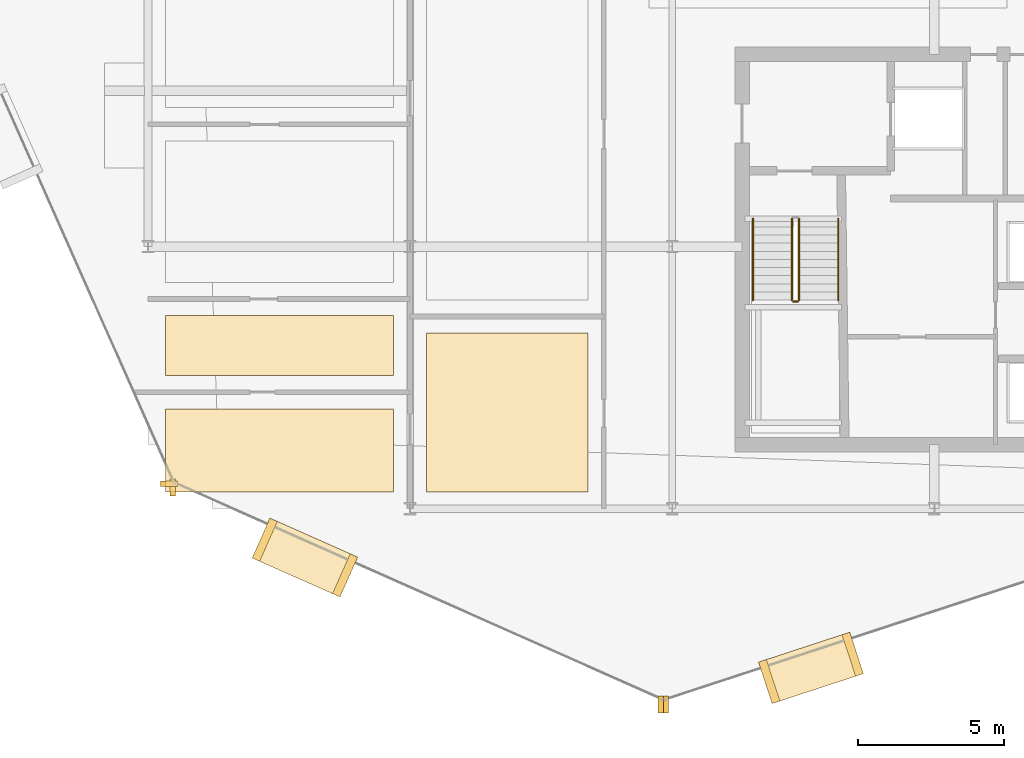
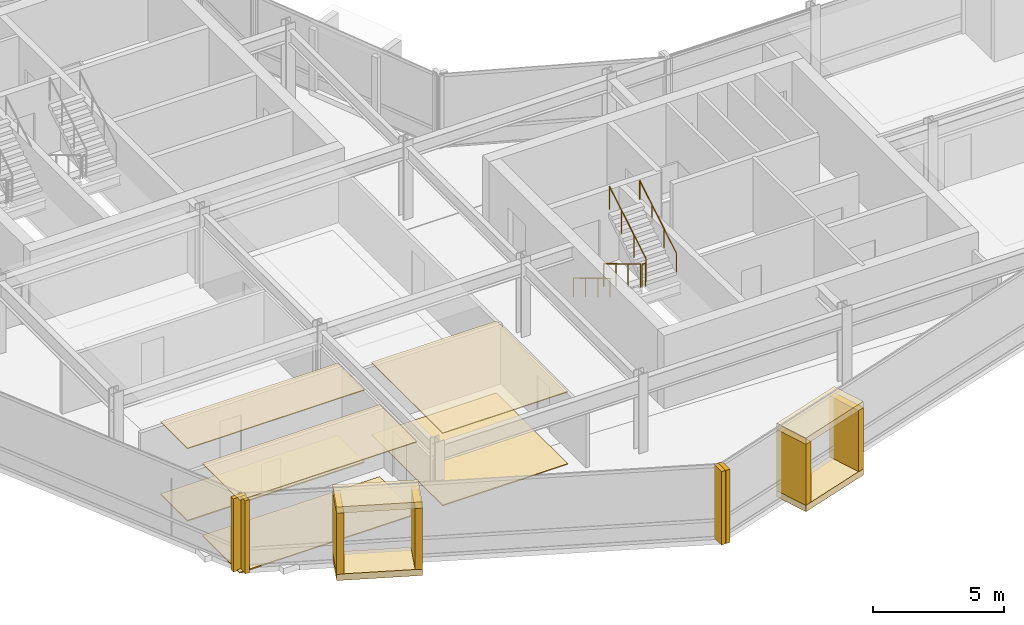
# One storey, part 22 of 27: 18 coverings, 5 railings.
"""IFC4 building model written with IfcOpenShell, lengths in metres."""

from ifc_helpers import new_model, si_unit, direction, frame, origin, origin_2d, place, context, subcontext, project, spatial, polyline, rectangle, circle, outline, extrude, material, layer, layer_set, type_object, element, save


model = new_model("IFC4")

# Units and contexts
model_context = context("Model", 3, precision=1e-05, world=origin(), true_north=direction((0.0, 1.0)))
body_context = subcontext(model_context, "Body", "Model", "MODEL_VIEW")
ifc_project = project(units=[si_unit("LENGTHUNIT", "METRE"), si_unit("AREAUNIT", "SQUARE_METRE"), si_unit("VOLUMEUNIT", "CUBIC_METRE"), si_unit("PLANEANGLEUNIT", "RADIAN"), si_unit("MASSUNIT", "GRAM", prefix="KILO")], contexts=[model_context])

# Site, building, storey
site_placement = place(None, origin())
site = spatial("IfcSite", under=ifc_project, at=site_placement, CompositionType="ELEMENT")
building_placement = place(site_placement, origin())
building = spatial("IfcBuilding", under=site, at=building_placement, Name="Solvaryn Broadcast Tower", CompositionType="ELEMENT")
storey_placement = place(building_placement, frame((0.0, 0.0, 177.89990234375)))
storey = spatial("IfcBuildingStorey", under=building, at=storey_placement, Name="L44", CompositionType="ELEMENT", Elevation=177.89990234375)

# Coverings
ifc_material_1 = material(Name="Micro-Perforated Acoustic Gypsum Ceiling", Category="concrete")
ifc_layer_1 = layer(ifc_material_1, 0.0400390625)
ifc_layer_set_1 = layer_set([ifc_layer_1], Name="CV-CEIL-ACOUSTIC")
covering_type_1 = type_object("IfcCoveringType", Name="CV-CEIL-ACOUSTIC", PredefinedType="CEILING", material=ifc_layer_set_1)
covering_1_placement = place(storey_placement, frame((0.0, 0.0, 3.380126953125)))
element("IfcCovering", 1, at=covering_1_placement, inside=storey, type_object=covering_type_1, Name="L44 Room Acoustic Ceiling 1", PredefinedType="CEILING", context=body_context, shape_type="SweptSolid", body=[
    extrude(outline(polyline([(18.570068359375, 9.570068359375), (24.10009765625, 9.570068359375), (24.10009765625, 15.030029296875), (18.570068359375, 15.030029296875), (18.570068359375, 9.570068359375)])), origin(), (0.0, 0.0, 1.0), 0.0400390625),
])
covering_2_placement = place(storey_placement, frame((0.0, 0.0, 3.380126953125)))
element("IfcCovering", 2, at=covering_2_placement, inside=storey, type_object=covering_type_1, Name="L44 Room Acoustic Ceiling 3", PredefinedType="CEILING", context=body_context, shape_type="SweptSolid", body=[
    extrude(outline(polyline([(9.60009765625, 9.570068359375), (17.429931640625, 9.570068359375), (17.429931640625, 12.429931640625), (9.60009765625, 12.429931640625), (9.60009765625, 9.570068359375)])), origin(), (0.0, 0.0, 1.0), 0.0400390625),
])
covering_3_placement = place(storey_placement, frame((0.0, 0.0, 3.380126953125)))
element("IfcCovering", 3, at=covering_3_placement, inside=storey, type_object=covering_type_1, Name="L44 Room Acoustic Ceiling 4", PredefinedType="CEILING", context=body_context, shape_type="SweptSolid", body=[
    extrude(outline(polyline([(9.60009765625, 13.570068359375), (17.429931640625, 13.570068359375), (17.429931640625, 15.6298828125), (9.60009765625, 15.6298828125), (9.60009765625, 13.570068359375)])), origin(), (0.0, 0.0, 1.0), 0.0400390625),
])
ifc_material_2 = material(Name="Newsroom Raised Data Access Flooring", Category="steel")
ifc_layer_2 = layer(ifc_material_2, 0.050048828125)
ifc_layer_set_2 = layer_set([ifc_layer_2], Name="CV-FLOOR-RAISED")
covering_type_2 = type_object("IfcCoveringType", Name="CV-FLOOR-RAISED", PredefinedType="FLOORING", material=ifc_layer_set_2)
covering_4_placement = place(storey_placement, origin())
element("IfcCovering", 4, at=covering_4_placement, inside=storey, type_object=covering_type_2, Name="L44 Room Acoustic Floor Finish 1", PredefinedType="FLOORING", context=body_context, shape_type="SweptSolid", body=[
    extrude(outline(polyline([(18.570068359375, 9.570068359375), (24.10009765625, 9.570068359375), (24.10009765625, 15.030029296875), (18.570068359375, 15.030029296875), (18.570068359375, 9.570068359375)])), origin(), (0.0, 0.0, 1.0), 0.050048828125),
])
covering_5_placement = place(storey_placement, origin())
element("IfcCovering", 5, at=covering_5_placement, inside=storey, type_object=covering_type_2, Name="L44 Room Acoustic Floor Finish 3", PredefinedType="FLOORING", context=body_context, shape_type="SweptSolid", body=[
    extrude(outline(polyline([(9.60009765625, 9.570068359375), (17.429931640625, 9.570068359375), (17.429931640625, 12.429931640625), (9.60009765625, 12.429931640625), (9.60009765625, 9.570068359375)])), origin(), (0.0, 0.0, 1.0), 0.050048828125),
])
covering_6_placement = place(storey_placement, origin())
element("IfcCovering", 6, at=covering_6_placement, inside=storey, type_object=covering_type_2, Name="L44 Room Acoustic Floor Finish 4", PredefinedType="FLOORING", context=body_context, shape_type="SweptSolid", body=[
    extrude(outline(polyline([(9.60009765625, 13.570068359375), (17.429931640625, 13.570068359375), (17.429931640625, 15.6298828125), (9.60009765625, 15.6298828125), (9.60009765625, 13.570068359375)])), origin(), (0.0, 0.0, 1.0), 0.050048828125),
])
ifc_material_3 = material(Name="Glazed Architectural Terracotta Rainscreen Cladding", Category="masonry")
ifc_layer_3 = layer(ifc_material_3, 0.280029296875)
ifc_layer_set_3 = layer_set([ifc_layer_3], Name="CV-TC-CLAD")
covering_type_3 = type_object("IfcCoveringType", Name="CV-TC-CLAD", PredefinedType="CLADDING", material=ifc_layer_set_3)
for number, where, z_axis, x_axis, name in (
    (7, (14.388916015625, 7.322998046875, 3.1298828125), (0.0, 0.0, 1.0), (0.913900054426, -0.405939269498, 0.0), "L44 Projecting Stone Window Box Hood 3"),
    (8, (14.388916015625, 7.322998046875, -0.009765625), (0.0, 0.0, 1.0), (0.913900054426, -0.405939269498, 0.0), "L44 Projecting Stone Window Box Sill 3"),
):
    element("IfcCovering", number, at=place(storey_placement, frame(where, z_axis=z_axis, x_axis=x_axis)), inside=storey, type_object=covering_type_3, Name=name, PredefinedType="CLADDING", context=body_context, shape_type="SweptSolid", body=[
        extrude(rectangle(XDim=3.300048828125, YDim=1.5, at=origin_2d()), origin(), (0.0, 0.0, 1.0), 0.300048828125),
    ])
for number, where, z_axis, x_axis, name in (
    (9, (13.009033203125, 7.93603515625, 0.2802734375), (0.0, 0.0, 1.0), (0.913900054426, -0.405939269498, 0.0), "L44 Projecting Stone Window Box Cheek 3-1"),
    (10, (15.76904296875, 6.7099609375, 0.2802734375), (0.0, 0.0, 1.0), (0.913900054426, -0.405939269498, 0.0), "L44 Projecting Stone Window Box Cheek 3-2"),
):
    element("IfcCovering", number, at=place(storey_placement, frame(where, z_axis=z_axis, x_axis=x_axis)), inside=storey, type_object=covering_type_3, Name=name, PredefinedType="CLADDING", context=body_context, shape_type="SweptSolid", body=[
        extrude(rectangle(XDim=0.280029296875, YDim=1.5, at=origin_2d()), origin(), (0.0, 0.0, 1.0), 2.860107421875),
    ])
for number, where, z_axis, x_axis, name in (
    (11, (31.763916015625, 3.533935546875, 3.1298828125), (0.0, 0.0, 1.0), (0.950244253402, 0.311505792684, 0.0), "L44 Projecting Stone Window Box Hood 4"),
    (12, (31.763916015625, 3.533935546875, -0.009765625), (0.0, 0.0, 1.0), (0.950244253402, 0.311505792684, 0.0), "L44 Projecting Stone Window Box Sill 4"),
):
    element("IfcCovering", number, at=place(storey_placement, frame(where, z_axis=z_axis, x_axis=x_axis)), inside=storey, type_object=covering_type_3, Name=name, PredefinedType="CLADDING", context=body_context, shape_type="SweptSolid", body=[
        extrude(rectangle(XDim=3.300048828125, YDim=1.5, at=origin_2d()), origin(), (0.0, 0.0, 1.0), 0.300048828125),
    ])
for number, where, z_axis, x_axis, name in (
    (13, (30.3291015625, 3.063720703125, 0.2802734375), (0.0, 0.0, 1.0), (0.950244253402, 0.311505792684, 0.0), "L44 Projecting Stone Window Box Cheek 4-1"),
    (14, (33.198974609375, 4.00439453125, 0.2802734375), (0.0, 0.0, 1.0), (0.950244253402, 0.311505792684, 0.0), "L44 Projecting Stone Window Box Cheek 4-2"),
):
    element("IfcCovering", number, at=place(storey_placement, frame(where, z_axis=z_axis, x_axis=x_axis)), inside=storey, type_object=covering_type_3, Name=name, PredefinedType="CLADDING", context=body_context, shape_type="SweptSolid", body=[
        extrude(rectangle(XDim=0.280029296875, YDim=1.5, at=origin_2d()), origin(), (0.0, 0.0, 1.0), 2.860107421875),
    ])
ifc_material_4 = material(Name="Extruded Architectural Terracotta Fin", Category="masonry")
ifc_layer_4 = layer(ifc_material_4, 0.179931640625)
ifc_layer_set_4 = layer_set([ifc_layer_4], Name="CV-TC-FIN")
covering_type_4 = type_object("IfcCoveringType", Name="CV-TC-FIN", PredefinedType="USERDEFINED", material=ifc_layer_set_4)
covering_7_placement = place(storey_placement, frame((9.7216796875, 9.852783203125, 0.000244140625), z_axis=(0.0, 0.0, 1.0), x_axis=(1.0, 0.0, 0.0)))
element("IfcCovering", 15, at=covering_7_placement, inside=storey, type_object=covering_type_4, Name="L44 Terracotta Vertical Fin FIN-L44-DR2-M01", ObjectType="FIN", PredefinedType="USERDEFINED", context=body_context, shape_type="SweptSolid", body=[
    extrude(rectangle(XDim=0.580078125, YDim=0.179931640625, at=origin_2d()), origin(), (0.0, 0.0, 1.0), 3.419921875),
])
for number, where, z_axis, x_axis, name in (
    (16, (9.852783203125, 9.7216796875, 0.000244140625), (0.0, 0.0, 1.0), (1.0, 0.0, 0.0), "L44 Terracotta Vertical Fin FIN-L44-DR3-M00"),
    (17, (26.605712890625, 2.281005859375, 0.000244140625), (0.0, 0.0, 1.0), (1.0, 0.0, 0.0), "L44 Terracotta Vertical Fin FIN-L44-DR3-M01"),
    (18, (26.790771484375, 2.271240234375, 0.000244140625), (0.0, 0.0, 1.0), (1.0, 0.0, 0.0), "L44 Terracotta Vertical Fin FIN-L44-DR4-M00"),
):
    element("IfcCovering", number, at=place(storey_placement, frame(where, z_axis=z_axis, x_axis=x_axis)), inside=storey, type_object=covering_type_4, Name=name, ObjectType="FIN", PredefinedType="USERDEFINED", context=body_context, shape_type="SweptSolid", body=[
        extrude(rectangle(XDim=0.179931640625, YDim=0.580078125, at=origin_2d()), origin(), (0.0, 0.0, 1.0), 3.419921875),
    ])

# Railings
ifc_material_5 = material(Name="Painted Steel Stair Well Guard", Category="steel")
railing_type_1 = type_object("IfcRailingType", Name="RL-STAIR-GUARD", PredefinedType="BALUSTRADE", material=ifc_material_5)
railing_1_placement = place(storey_placement, frame((31.110107421875, 18.9599609375, 0.168212890625)))
element("IfcRailing", 19, at=railing_1_placement, inside=storey, type_object=railing_type_1, Name="L44 ST3 stair guard 1", PredefinedType="BALUSTRADE", context=body_context, shape_type="SweptSolid", body=[
    extrude(circle(Radius=0.02392578125, at=origin_2d()), frame((0.0, 0.0, 1.076171875), z_axis=(0.0, -0.857242210791, 0.514913383045), x_axis=(1.0, 0.0, 0.0)), (0.0, 0.0, 1.0), 3.266357421875),
    extrude(circle(Radius=0.02099609375, at=origin_2d()), origin(), (0.0, 0.0, 1.0), 1.052001953125),
    extrude(circle(Radius=0.02099609375, at=origin_2d()), frame((0.0, -0.933349609375, 0.560546875)), (0.0, 0.0, 1.0), 1.052001953125),
    extrude(circle(Radius=0.02099609375, at=origin_2d()), frame((0.0, -1.86669921875, 1.121337890625)), (0.0, 0.0, 1.0), 1.052001953125),
    extrude(circle(Radius=0.02099609375, at=origin_2d()), frame((0.0, -2.800048828125, 1.681884765625)), (0.0, 0.0, 1.0), 1.052001953125),
])
railing_2_placement = place(storey_placement, frame((31.159912109375, 16.110107421875, 1.85009765625)))
element("IfcRailing", 20, at=railing_2_placement, inside=storey, type_object=railing_type_1, Name="L44 ST3 stair guard 2", PredefinedType="BALUSTRADE", context=body_context, shape_type="SweptSolid", body=[
    extrude(circle(Radius=0.02392578125, at=origin_2d()), frame((0.0, 0.0, 1.076171875), z_axis=(1.0, 0.0, 0.0), x_axis=(0.0, 1.0, 0.0)), (0.0, 0.0, 1.0), 0.150146484375),
    extrude(circle(Radius=0.02099609375, at=origin_2d()), origin(), (0.0, 0.0, 1.0), 1.052001953125),
    extrude(circle(Radius=0.02099609375, at=origin_2d()), frame((0.150146484375, 0.0, 0.0)), (0.0, 0.0, 1.0), 1.052001953125),
])
railing_3_placement = place(storey_placement, frame((31.360107421875, 16.159912109375, 2.018310546875)))
element("IfcRailing", 21, at=railing_3_placement, inside=storey, type_object=railing_type_1, Name="L44 ST3 stair guard 3", PredefinedType="BALUSTRADE", context=body_context, shape_type="SweptSolid", body=[
    extrude(circle(Radius=0.02392578125, at=origin_2d()), frame((0.0, 0.0, 1.076171875), z_axis=(0.0, 0.857242210791, 0.514913383045), x_axis=(-1.0, 0.0, 0.0)), (0.0, 0.0, 1.0), 3.266357421875),
    extrude(circle(Radius=0.02099609375, at=origin_2d()), origin(), (0.0, 0.0, 1.0), 1.052001953125),
    extrude(circle(Radius=0.02099609375, at=origin_2d()), frame((0.0, 0.933349609375, 0.560546875)), (0.0, 0.0, 1.0), 1.052001953125),
    extrude(circle(Radius=0.02099609375, at=origin_2d()), frame((0.0, 1.86669921875, 1.121337890625)), (0.0, 0.0, 1.0), 1.052001953125),
    extrude(circle(Radius=0.02099609375, at=origin_2d()), frame((0.0, 2.800048828125, 1.681884765625)), (0.0, 0.0, 1.0), 1.052001953125),
])
ifc_material_6 = material(Name="Brushed Stainless Steel Tubular Handrail", Category="steel")
railing_type_2 = type_object("IfcRailingType", Name="RL-STAIR-HANDRAIL", PredefinedType="HANDRAIL", material=ifc_material_6)
railing_4_placement = place(storey_placement, frame((29.77001953125, 18.9599609375, 0.168212890625)))
element("IfcRailing", 22, at=railing_4_placement, inside=storey, type_object=railing_type_2, Name="L44 ST3 stair handrail 1", PredefinedType="HANDRAIL", context=body_context, shape_type="SweptSolid", body=[
    extrude(circle(Radius=0.02392578125, at=origin_2d()), frame((0.0, 0.0, 0.8759765625), z_axis=(0.0, -0.857242210791, 0.514913383045), x_axis=(1.0, 0.0, 0.0)), (0.0, 0.0, 1.0), 3.266357421875),
    extrude(circle(Radius=0.02099609375, at=origin_2d()), origin(), (0.0, 0.0, 1.0), 0.851806640625),
    extrude(circle(Radius=0.02099609375, at=origin_2d()), frame((0.0, -0.933349609375, 0.560546875)), (0.0, 0.0, 1.0), 0.851806640625),
    extrude(circle(Radius=0.02099609375, at=origin_2d()), frame((0.0, -1.86669921875, 1.121337890625)), (0.0, 0.0, 1.0), 0.851806640625),
    extrude(circle(Radius=0.02099609375, at=origin_2d()), frame((0.0, -2.800048828125, 1.681884765625)), (0.0, 0.0, 1.0), 0.851806640625),
])
railing_5_placement = place(storey_placement, frame((32.699951171875, 16.159912109375, 2.018310546875)))
element("IfcRailing", 23, at=railing_5_placement, inside=storey, type_object=railing_type_2, Name="L44 ST3 stair handrail 2", PredefinedType="HANDRAIL", context=body_context, shape_type="SweptSolid", body=[
    extrude(circle(Radius=0.02392578125, at=origin_2d()), frame((0.0, 0.0, 0.8759765625), z_axis=(0.0, 0.857242210791, 0.514913383045), x_axis=(-1.0, 0.0, 0.0)), (0.0, 0.0, 1.0), 3.266357421875),
    extrude(circle(Radius=0.02099609375, at=origin_2d()), origin(), (0.0, 0.0, 1.0), 0.851806640625),
    extrude(circle(Radius=0.02099609375, at=origin_2d()), frame((0.0, 0.933349609375, 0.560546875)), (0.0, 0.0, 1.0), 0.851806640625),
    extrude(circle(Radius=0.02099609375, at=origin_2d()), frame((0.0, 1.86669921875, 1.121337890625)), (0.0, 0.0, 1.0), 0.851806640625),
    extrude(circle(Radius=0.02099609375, at=origin_2d()), frame((0.0, 2.800048828125, 1.681884765625)), (0.0, 0.0, 1.0), 0.851806640625),
])

save(model, "model.ifc")
